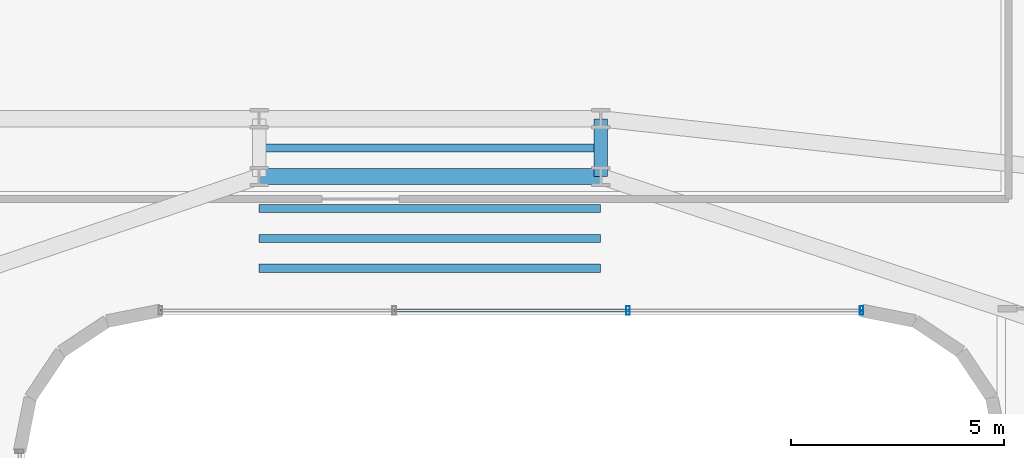
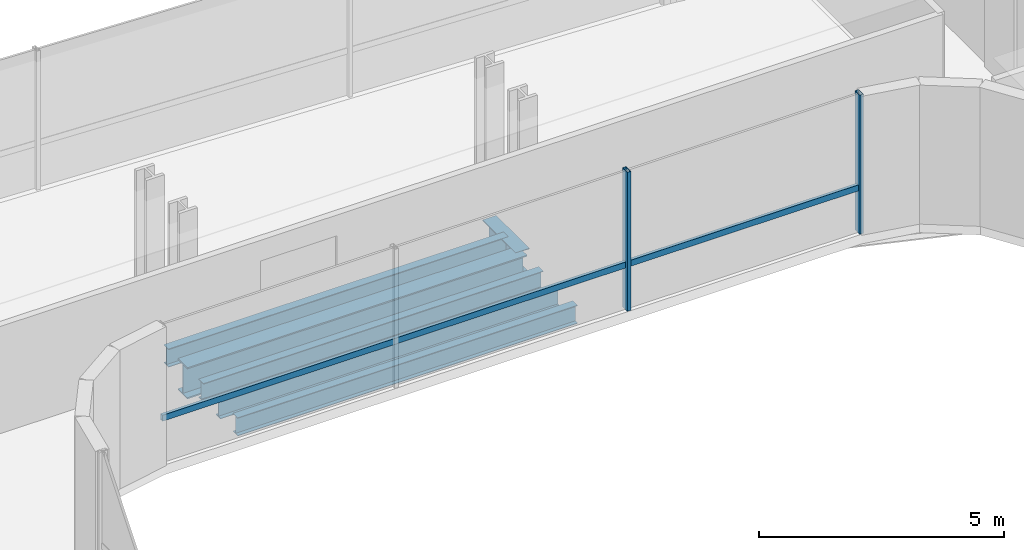
# One storey, part 15 of 35: 6 beams, 3 members, 1 element without a shape of its own.
"""IFC4 building model written with IfcOpenShell, lengths in metres."""

from ifc_helpers import new_model, si_unit, direction, frame, origin, origin_2d, place, context, subcontext, project, spatial, hollow_rectangle, i_section, extrude, source, transform, mapped, material, material_profile, profile_set, type_object, element, aggregate, save


model = new_model("IFC4")

# Units and contexts
model_context = context("Model", 3, precision=1e-05, world=origin(), true_north=direction((0.0, 1.0)))
body_context = subcontext(model_context, "Body", "Model", "MODEL_VIEW")
ifc_project = project(units=[si_unit("LENGTHUNIT", "METRE"), si_unit("AREAUNIT", "SQUARE_METRE"), si_unit("VOLUMEUNIT", "CUBIC_METRE"), si_unit("PLANEANGLEUNIT", "RADIAN"), si_unit("MASSUNIT", "GRAM", prefix="KILO")], contexts=[model_context])

# Site, building, storey
site_placement = place(None, origin())
site = spatial("IfcSite", under=ifc_project, at=site_placement, CompositionType="ELEMENT")
building_placement = place(site_placement, origin())
building = spatial("IfcBuilding", under=site, at=building_placement, Name="Valdorenza Pilgrim Sanctuary Tower", CompositionType="ELEMENT")
storey_placement = place(building_placement, frame((0.0, 0.0, 150.10009765625)))
storey = spatial("IfcBuildingStorey", under=building, at=storey_placement, Name="L38", CompositionType="ELEMENT", Elevation=150.10009765625)

# Beams
ifc_material_1 = material(Name="Steel ASTM A992 Grade 50", Category="steel")
ifc_material_profile_1 = material_profile(ifc_material_1, i_section(OverallWidth=0.323974609375, OverallDepth=0.611083984375, WebThickness=0.0126953125, FlangeThickness=0.01904296875, at=origin_2d()), Name="W24X104")
ifc_profile_set_1 = profile_set([ifc_material_profile_1], Name="Steel ASTM A992 Grade 50")
beam_type_1 = type_object("IfcBeamType", Name="STR-BM-GRD-W24B", PredefinedType="BEAM", material=ifc_profile_set_1)
shared_shape_1 = source(origin(), body_context, "Body", "SweptSolid", [
    extrude(i_section(OverallWidth=0.323974609375, OverallDepth=0.611083984375, WebThickness=0.0126953125, FlangeThickness=0.01904296875, at=origin_2d()), origin(), (0.0, 0.0, 1.0), 1.35009765625),
])
beam_1_placement = place(storey_placement, frame((4.0, 13.449951171875, -0.545654296875), z_axis=(0.0, 1.0, 0.0), x_axis=(-1.0, 0.0, 0.0)))
element("IfcBeam", 1, at=beam_1_placement, inside=storey, type_object=beam_type_1, Name="L38 Floor Girder KNK-TIE-E", PredefinedType="BEAM", context=body_context, shape_type="MappedRepresentation", body=[
    mapped(shared_shape_1, transform((0.0, 0.0, 0.0), x_axis=(1.0, 0.0, 0.0), y_axis=(0.0, 1.0, 0.0), z_axis=(0.0, 0.0, 1.0), scale=1.0)),
])
ifc_material_profile_2 = material_profile(ifc_material_1, i_section(OverallWidth=0.382080078125, OverallDepth=0.779052734375, WebThickness=0.01806640625, FlangeThickness=0.030029296875, at=origin_2d()), Name="W30X191")
ifc_profile_set_2 = profile_set([ifc_material_profile_2], Name="Steel ASTM A992 Grade 50")
beam_type_2 = type_object("IfcBeamType", Name="STR-BM-GRD-W30", PredefinedType="BEAM", material=ifc_profile_set_2)
shared_shape_2 = source(origin(), body_context, "Body", "SweptSolid", [
    extrude(i_section(OverallWidth=0.382080078125, OverallDepth=0.779052734375, WebThickness=0.01806640625, FlangeThickness=0.030029296875, at=origin_2d()), origin(), (0.0, 0.0, 1.0), 8.0),
])
beam_2_placement = place(storey_placement, frame((-4.0, 13.449951171875, -0.629638671875), z_axis=(1.0, 0.0, 0.0), x_axis=(0.0, 1.0, 0.0)))
element("IfcBeam", 2, at=beam_2_placement, inside=storey, type_object=beam_type_2, Name="L38 Floor Girder KNK-G2", PredefinedType="BEAM", context=body_context, shape_type="MappedRepresentation", body=[
    mapped(shared_shape_2, transform((0.0, 0.0, 0.0), x_axis=(1.0, 0.0, 0.0), y_axis=(0.0, 1.0, 0.0), z_axis=(0.0, 0.0, 1.0), scale=1.0)),
])
ifc_material_profile_3 = material_profile(ifc_material_1, i_section(OverallWidth=0.19091796875, OverallDepth=0.45703125, WebThickness=0.009033203125, FlangeThickness=0.014404296875, at=origin_2d()), Name="W18X50")
ifc_profile_set_3 = profile_set([ifc_material_profile_3], Name="Steel ASTM A992 Grade 50")
beam_type_3 = type_object("IfcBeamType", Name="STR-BM-JST-W18B", PredefinedType="JOIST", material=ifc_profile_set_3)
shared_shape_3 = source(origin(), body_context, "Body", "SweptSolid", [
    extrude(i_section(OverallWidth=0.19091796875, OverallDepth=0.45703125, WebThickness=0.009033203125, FlangeThickness=0.014404296875, at=origin_2d()), origin(), (0.0, 0.0, 1.0), 8.0),
])
for number, where, z_axis, x_axis, name in (
    (3, (-4.0, 11.300048828125, -0.468505859375), (1.0, 0.0, 0.0), (0.0, 1.0, 0.0), "L38 Knuckle Composite Joist JST-KNK-1"),
    (4, (-4.0, 12.0, -0.468505859375), (1.0, 0.0, 0.0), (0.0, 1.0, 0.0), "L38 Knuckle Composite Joist JST-KNK-2"),
    (5, (-4.0, 12.699951171875, -0.468505859375), (1.0, 0.0, 0.0), (0.0, 1.0, 0.0), "L38 Knuckle Composite Joist JST-KNK-3"),
    (6, (-4.0, 14.1201171875, -0.468505859375), (1.0, 0.0, 0.0), (0.0, 1.0, 0.0), "L38 Knuckle Composite Joist JST-KNK-4"),
):
    element("IfcBeam", number, at=place(storey_placement, frame(where, z_axis=z_axis, x_axis=x_axis)), inside=storey, type_object=beam_type_3, Name=name, PredefinedType="JOIST", context=body_context, shape_type="MappedRepresentation", body=[
        mapped(shared_shape_3, transform((0.0, 0.0, 0.0), x_axis=(1.0, 0.0, 0.0), y_axis=(0.0, 1.0, 0.0), z_axis=(0.0, 0.0, 1.0), scale=1.0)),
    ])

# Curtain wall, members
ifc_material_2 = material(Name="Curtain-wall IGU glazing", Category="glass")
curtain_wall_type = type_object("IfcCurtainWallType", Name="CW-SYS-02", PredefinedType="NOTDEFINED", material=ifc_material_2)
curtain_wall_placement = place(storey_placement, origin())
curtain_wall = element("IfcCurtainWall", 7, at=curtain_wall_placement, inside=storey, type_object=curtain_wall_type, Name="L38 Curtain Wall CW-L38-1-36", PredefinedType="NOTDEFINED")
ifc_material_3 = material(Name="Anodised aluminium AW-6060", Category="aluminium")
ifc_material_profile_4 = material_profile(ifc_material_3, hollow_rectangle(XDim=0.0849609375, YDim=0.199951171875, WallThickness=0.0048828125, at=origin_2d()), Name="ALU-M 200x85x5")
ifc_profile_set_4 = profile_set([ifc_material_profile_4], Name="Anodised aluminium AW-6060")
member_type_1 = type_object("IfcMemberType", Name="CW-MUL-02", PredefinedType="MULLION", material=ifc_profile_set_4)
shared_shape_4 = source(origin(), body_context, "Body", "SweptSolid", [
    extrude(hollow_rectangle(XDim=0.0849609375, YDim=0.199951171875, WallThickness=0.0048828125, at=origin_2d()), origin(), (0.0, 0.0, 1.0), 3.4599609375),
])
member_1_placement = place(storey_placement, frame((10.11083984375, 10.31005859375, 0.0), z_axis=(0.0, 0.0, 1.0), x_axis=(-1.0, 0.0, 0.0)))
member_1 = element("IfcMember", 8, at=member_1_placement, type_object=member_type_1, Name="CW-L38-1-36 Mullion 1", PredefinedType="MULLION", context=body_context, shape_type="MappedRepresentation", body=[
    mapped(shared_shape_4, transform((0.0, 0.0, 0.0), x_axis=(1.0, 0.0, 0.0), y_axis=(0.0, 1.0, 0.0), z_axis=(0.0, 0.0, 1.0), scale=1.0)),
])
member_2_placement = place(storey_placement, frame((4.636962890625, 10.31005859375, 0.0), z_axis=(0.0, 0.0, 1.0), x_axis=(-1.0, 0.0, 0.0)))
member_2 = element("IfcMember", 9, at=member_2_placement, type_object=member_type_1, Name="CW-L38-1-36 Mullion 2", PredefinedType="MULLION", context=body_context, shape_type="MappedRepresentation", body=[
    mapped(shared_shape_4, transform((0.0, 0.0, 0.0), x_axis=(1.0, 0.0, 0.0), y_axis=(0.0, 1.0, 0.0), z_axis=(0.0, 0.0, 1.0), scale=1.0)),
])
ifc_material_profile_5 = material_profile(ifc_material_3, hollow_rectangle(XDim=0.074951171875, YDim=0.14990234375, WallThickness=0.00390625, at=origin_2d()), Name="ALU-T 150x75x4")
ifc_profile_set_5 = profile_set([ifc_material_profile_5], Name="Anodised aluminium AW-6060")
member_type_2 = type_object("IfcMemberType", Name="CW-TRN-02", PredefinedType="USERDEFINED", material=ifc_profile_set_5)
shared_shape_5 = source(origin(), body_context, "Body", "SweptSolid", [
    extrude(hollow_rectangle(XDim=0.074951171875, YDim=0.14990234375, WallThickness=0.00390625, at=origin_2d()), origin(), (0.0, 0.0, 1.0), 16.421630859375),
])
member_3_placement = place(storey_placement, frame((10.11083984375, 10.31005859375, 1.119873046875), z_axis=(-1.0, 0.0, 0.0), x_axis=(0.0, -1.0, 0.0)))
member_3 = element("IfcMember", 10, at=member_3_placement, type_object=member_type_2, Name="CW-L38-1-36 Transom 1", ObjectType="TRANSOM", PredefinedType="USERDEFINED", context=body_context, shape_type="MappedRepresentation", body=[
    mapped(shared_shape_5, transform((0.0, 0.0, 0.0), x_axis=(1.0, 0.0, 0.0), y_axis=(0.0, 1.0, 0.0), z_axis=(0.0, 0.0, 1.0), scale=1.0)),
])
aggregate(curtain_wall, [member_1, member_2, member_3])

save(model, "model.ifc")
